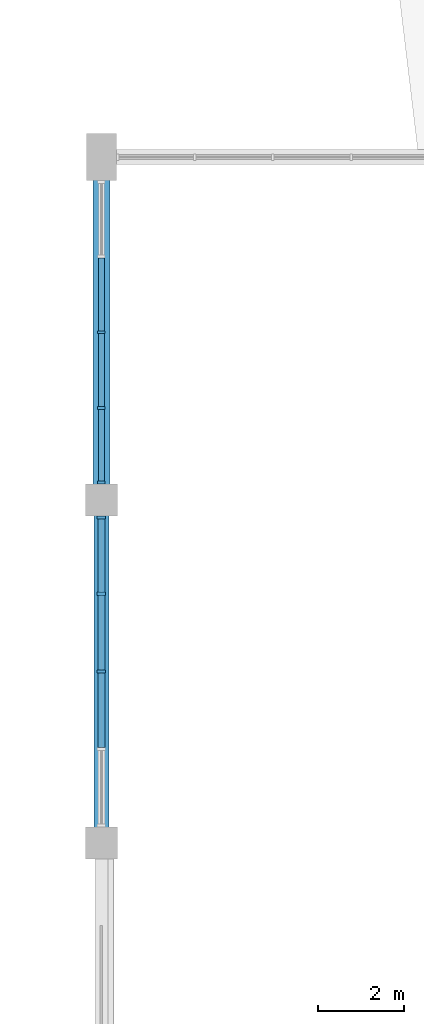
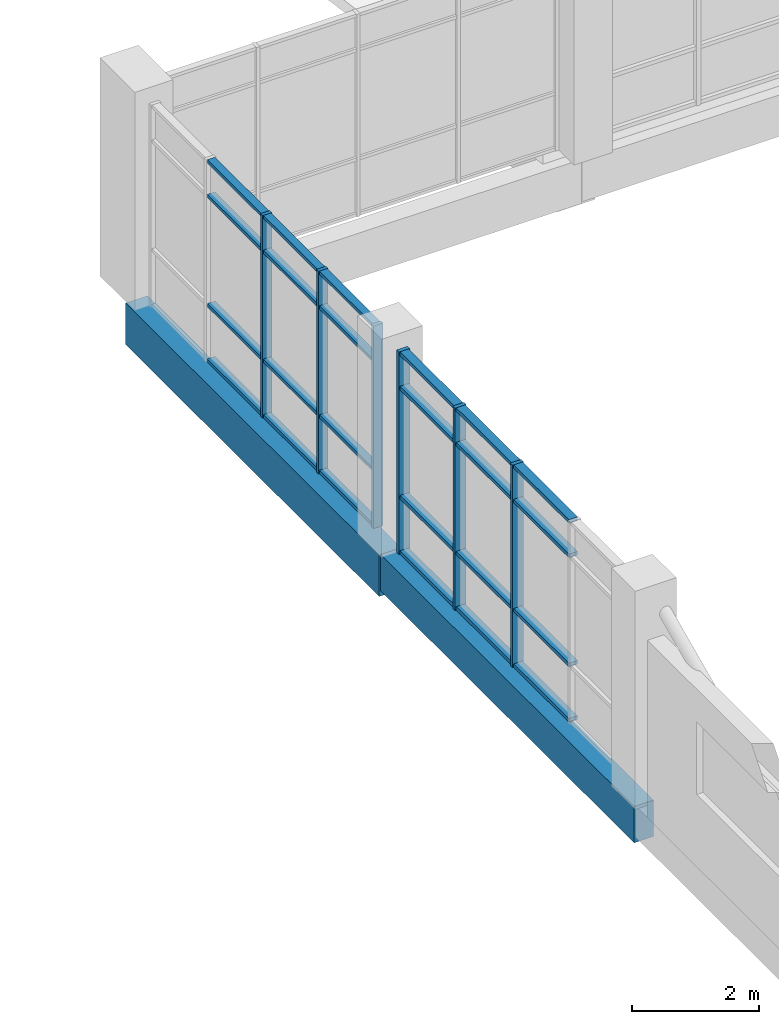
# One storey, part 4 of 72: 30 members, 2 beams, 2 elements without a shape of their own.
"""IFC4 building model written with IfcOpenShell, lengths in metres."""

from ifc_helpers import new_model, si_unit, direction, frame, origin, origin_2d, place, context, subcontext, project, spatial, rectangle, extrude, material, material_profile, profile_set, type_object, element, aggregate, save


model = new_model("IFC4")

# Units and contexts
model_context = context("Model", 3, precision=1e-05, world=origin(), true_north=direction((0.0, 1.0)))
body_context = subcontext(model_context, "Body", "Model", "MODEL_VIEW")
ifc_project = project(units=[si_unit("LENGTHUNIT", "METRE"), si_unit("AREAUNIT", "SQUARE_METRE"), si_unit("VOLUMEUNIT", "CUBIC_METRE"), si_unit("PLANEANGLEUNIT", "RADIAN"), si_unit("MASSUNIT", "GRAM", prefix="KILO")], contexts=[model_context])

# Site, building, storey
site_placement = place(None, origin())
site = spatial("IfcSite", under=ifc_project, at=site_placement, CompositionType="ELEMENT")
building_placement = place(site_placement, origin())
building = spatial("IfcBuilding", under=site, at=building_placement, Name="Tenunan Teduh Sports Hall", CompositionType="ELEMENT")
storey_placement = place(building_placement, frame((0.0, 0.0, 15.0)))
storey = spatial("IfcBuildingStorey", under=building, at=storey_placement, Name="L03", CompositionType="ELEMENT", Elevation=15.0)

# Beams
ifc_material_1 = material(Name="Concrete C40/50", Category="concrete")
ifc_material_profile_1 = material_profile(ifc_material_1, rectangle(XDim=0.35009765625, YDim=0.699951171875, at=origin_2d()), Name="RCB 350x700")
ifc_profile_set_1 = profile_set([ifc_material_profile_1], Name="Concrete C40/50")
beam_type_1 = type_object("IfcBeamType", Name="BM-RC-350x700", PredefinedType="BEAM", material=ifc_profile_set_1)
beam_1_placement = place(storey_placement, frame((6.0, 30.0, -0.590087890625), z_axis=(0.0, 1.0, 0.0), x_axis=(-1.0, 0.0, 0.0)))
element("IfcBeam", 1, at=beam_1_placement, inside=storey, type_object=beam_type_1, Name="BM-B-06-L03-1879", PredefinedType="BEAM", context=body_context, shape_type="SweptSolid", body=[
    extrude(rectangle(XDim=0.35009765625, YDim=0.699951171875, at=origin_2d()), origin(), (0.0, 0.0, 1.0), 8.0),
])
ifc_material_2 = material(Name="Concrete C40/50", Category="concrete")
ifc_material_profile_2 = material_profile(ifc_material_2, rectangle(XDim=0.39990234375, YDim=0.800048828125, at=origin_2d()), Name="RCB 400x800")
ifc_profile_set_2 = profile_set([ifc_material_profile_2], Name="Concrete C40/50")
beam_type_2 = type_object("IfcBeamType", Name="BM-RC-400x800", PredefinedType="BEAM", material=ifc_profile_set_2)
beam_2_placement = place(storey_placement, frame((6.0, 38.0, -0.639892578125), z_axis=(0.0, 1.0, 0.0), x_axis=(-1.0, 0.0, 0.0)))
element("IfcBeam", 2, at=beam_2_placement, inside=storey, type_object=beam_type_2, Name="BM-B-10-L03-1880", PredefinedType="BEAM", context=body_context, shape_type="SweptSolid", body=[
    extrude(rectangle(XDim=0.39990234375, YDim=0.800048828125, at=origin_2d()), origin(), (0.0, 0.0, 1.0), 8.0),
])

# Curtain wall, members
ifc_material_3 = material(Name="Anodised aluminium", Category="aluminium")
curtain_wall_type = type_object("IfcCurtainWallType", Name="CW-UNIT-2", PredefinedType="NOTDEFINED", material=ifc_material_3)
curtain_wall_1_placement = place(storey_placement, origin())
curtain_wall_1 = element("IfcCurtainWall", 3, at=curtain_wall_1_placement, inside=storey, type_object=curtain_wall_type, Name="CW-CWM-175-L03-090", PredefinedType="NOTDEFINED")
ifc_material_4 = material(Name="Anodised aluminium", Category="aluminium")
ifc_material_profile_3 = material_profile(ifc_material_4, rectangle(XDim=0.06494140625, YDim=0.175048828125, at=origin_2d()), Name="CWM 65x175")
ifc_profile_set_3 = profile_set([ifc_material_profile_3], Name="Anodised aluminium")
member_type_1 = type_object("IfcMemberType", Name="CWM-175", PredefinedType="MULLION", material=ifc_profile_set_3)
member_1_placement = place(storey_placement, frame((6.0, 38.407470703125, 0.0), z_axis=(0.0, 0.0, 1.0), x_axis=(0.0, 1.0, 0.0)))
member_1 = element("IfcMember", 4, at=member_1_placement, type_object=member_type_1, Name="CW-02 mullion 1", PredefinedType="MULLION", context=body_context, shape_type="SweptSolid", body=[
    extrude(rectangle(XDim=0.06494140625, YDim=0.175048828125, at=origin_2d()), origin(), (0.0, 0.0, 1.0), 3.89990234375),
])
member_2_placement = place(storey_placement, frame((6.0, 40.143798828125, 0.0), z_axis=(0.0, 0.0, 1.0), x_axis=(0.0, 1.0, 0.0)))
member_2 = element("IfcMember", 5, at=member_2_placement, type_object=member_type_1, Name="CW-02 mullion 2", PredefinedType="MULLION", context=body_context, shape_type="SweptSolid", body=[
    extrude(rectangle(XDim=0.06494140625, YDim=0.175048828125, at=origin_2d()), origin(), (0.0, 0.0, 1.0), 3.89990234375),
])
member_3_placement = place(storey_placement, frame((6.0, 41.91259765625, 0.0), z_axis=(0.0, 0.0, 1.0), x_axis=(0.0, 1.0, 0.0)))
member_3 = element("IfcMember", 6, at=member_3_placement, type_object=member_type_1, Name="CW-02 mullion 3", PredefinedType="MULLION", context=body_context, shape_type="SweptSolid", body=[
    extrude(rectangle(XDim=0.06494140625, YDim=0.175048828125, at=origin_2d()), origin(), (0.0, 0.0, 1.0), 3.89990234375),
])

curtain_wall_2_placement = place(storey_placement, origin())
curtain_wall_2 = element("IfcCurtainWall", 7, at=curtain_wall_2_placement, inside=storey, type_object=curtain_wall_type, Name="CW-CWM-200-L03-088", PredefinedType="NOTDEFINED")
ifc_material_5 = material(Name="Anodised aluminium", Category="aluminium")
ifc_material_profile_4 = material_profile(ifc_material_5, rectangle(XDim=0.070068359375, YDim=0.199951171875, at=origin_2d()), Name="CWM 70x200")
ifc_profile_set_4 = profile_set([ifc_material_profile_4], Name="Anodised aluminium")
member_type_2 = type_object("IfcMemberType", Name="CWM-200", PredefinedType="MULLION", material=ifc_profile_set_4)
member_4_placement = place(storey_placement, frame((6.0, 34.0, 0.0), z_axis=(0.0, 0.0, 1.0), x_axis=(0.0, 1.0, 0.0)))
member_4 = element("IfcMember", 8, at=member_4_placement, type_object=member_type_2, Name="CW-02 mullion 3", PredefinedType="MULLION", context=body_context, shape_type="SweptSolid", body=[
    extrude(rectangle(XDim=0.070068359375, YDim=0.199951171875, at=origin_2d()), origin(), (0.0, 0.0, 1.0), 3.89990234375),
])
member_5_placement = place(storey_placement, frame((6.0, 35.8125, 0.0), z_axis=(0.0, 0.0, 1.0), x_axis=(0.0, 1.0, 0.0)))
member_5 = element("IfcMember", 9, at=member_5_placement, type_object=member_type_2, Name="CW-02 mullion 4", PredefinedType="MULLION", context=body_context, shape_type="SweptSolid", body=[
    extrude(rectangle(XDim=0.070068359375, YDim=0.199951171875, at=origin_2d()), origin(), (0.0, 0.0, 1.0), 3.89990234375),
])
member_6_placement = place(storey_placement, frame((6.0, 37.590087890625, 0.0), z_axis=(0.0, 0.0, 1.0), x_axis=(0.0, 1.0, 0.0)))
member_6 = element("IfcMember", 10, at=member_6_placement, type_object=member_type_2, Name="CW-02 mullion 5", PredefinedType="MULLION", context=body_context, shape_type="SweptSolid", body=[
    extrude(rectangle(XDim=0.070068359375, YDim=0.199951171875, at=origin_2d()), origin(), (0.0, 0.0, 1.0), 3.89990234375),
])

# Member
ifc_material_6 = material(Name="Anodised aluminium", Category="aluminium")
ifc_material_profile_5 = material_profile(ifc_material_6, rectangle(XDim=0.06494140625, YDim=0.139892578125, at=origin_2d()), Name="CWT 65x140")
ifc_profile_set_5 = profile_set([ifc_material_profile_5], Name="Anodised aluminium")
member_type_3 = type_object("IfcMemberType", Name="CWT-150", PredefinedType="USERDEFINED", material=ifc_profile_set_5)
member_7_placement = place(storey_placement, frame((6.0, 38.43994140625, 0.032470703125), z_axis=(0.0, 1.0, 0.0), x_axis=(0.0, 0.0, 1.0)))
member_7 = element("IfcMember", 11, at=member_7_placement, type_object=member_type_3, Name="CW-02 transom 1.1", ObjectType="TRANSOM", PredefinedType="USERDEFINED", context=body_context, shape_type="SweptSolid", body=[
    extrude(rectangle(XDim=0.06494140625, YDim=0.139892578125, at=origin_2d()), origin(), (0.0, 0.0, 1.0), 1.67138671875),
])

member_8_placement = place(storey_placement, frame((6.0, 38.43994140625, 1.10009765625), z_axis=(0.0, 1.0, 0.0), x_axis=(0.0, 0.0, 1.0)))
member_8 = element("IfcMember", 12, at=member_8_placement, type_object=member_type_3, Name="CW-02 transom 1.2", ObjectType="TRANSOM", PredefinedType="USERDEFINED", context=body_context, shape_type="SweptSolid", body=[
    extrude(rectangle(XDim=0.06494140625, YDim=0.139892578125, at=origin_2d()), origin(), (0.0, 0.0, 1.0), 1.67138671875),
])

member_9_placement = place(storey_placement, frame((6.0, 38.43994140625, 3.199951171875), z_axis=(0.0, 1.0, 0.0), x_axis=(0.0, 0.0, 1.0)))
member_9 = element("IfcMember", 13, at=member_9_placement, type_object=member_type_3, Name="CW-02 transom 1.3", ObjectType="TRANSOM", PredefinedType="USERDEFINED", context=body_context, shape_type="SweptSolid", body=[
    extrude(rectangle(XDim=0.06494140625, YDim=0.139892578125, at=origin_2d()), origin(), (0.0, 0.0, 1.0), 1.67138671875),
])

member_10_placement = place(storey_placement, frame((6.0, 38.43994140625, 3.867431640625), z_axis=(0.0, 1.0, 0.0), x_axis=(0.0, 0.0, 1.0)))
member_10 = element("IfcMember", 14, at=member_10_placement, type_object=member_type_3, Name="CW-02 transom 1.4", ObjectType="TRANSOM", PredefinedType="USERDEFINED", context=body_context, shape_type="SweptSolid", body=[
    extrude(rectangle(XDim=0.06494140625, YDim=0.139892578125, at=origin_2d()), origin(), (0.0, 0.0, 1.0), 1.67138671875),
])

member_11_placement = place(storey_placement, frame((6.0, 40.17626953125, 0.032470703125), z_axis=(0.0, 1.0, 0.0), x_axis=(0.0, 0.0, 1.0)))
member_11 = element("IfcMember", 15, at=member_11_placement, type_object=member_type_3, Name="CW-02 transom 2.1", ObjectType="TRANSOM", PredefinedType="USERDEFINED", context=body_context, shape_type="SweptSolid", body=[
    extrude(rectangle(XDim=0.06494140625, YDim=0.139892578125, at=origin_2d()), origin(), (0.0, 0.0, 1.0), 1.70361328125),
])

member_12_placement = place(storey_placement, frame((6.0, 40.17626953125, 1.10009765625), z_axis=(0.0, 1.0, 0.0), x_axis=(0.0, 0.0, 1.0)))
member_12 = element("IfcMember", 16, at=member_12_placement, type_object=member_type_3, Name="CW-02 transom 2.2", ObjectType="TRANSOM", PredefinedType="USERDEFINED", context=body_context, shape_type="SweptSolid", body=[
    extrude(rectangle(XDim=0.06494140625, YDim=0.139892578125, at=origin_2d()), origin(), (0.0, 0.0, 1.0), 1.70361328125),
])

member_13_placement = place(storey_placement, frame((6.0, 40.17626953125, 3.199951171875), z_axis=(0.0, 1.0, 0.0), x_axis=(0.0, 0.0, 1.0)))
member_13 = element("IfcMember", 17, at=member_13_placement, type_object=member_type_3, Name="CW-02 transom 2.3", ObjectType="TRANSOM", PredefinedType="USERDEFINED", context=body_context, shape_type="SweptSolid", body=[
    extrude(rectangle(XDim=0.06494140625, YDim=0.139892578125, at=origin_2d()), origin(), (0.0, 0.0, 1.0), 1.70361328125),
])

member_14_placement = place(storey_placement, frame((6.0, 40.17626953125, 3.867431640625), z_axis=(0.0, 1.0, 0.0), x_axis=(0.0, 0.0, 1.0)))
member_14 = element("IfcMember", 18, at=member_14_placement, type_object=member_type_3, Name="CW-02 transom 2.4", ObjectType="TRANSOM", PredefinedType="USERDEFINED", context=body_context, shape_type="SweptSolid", body=[
    extrude(rectangle(XDim=0.06494140625, YDim=0.139892578125, at=origin_2d()), origin(), (0.0, 0.0, 1.0), 1.70361328125),
])

member_15_placement = place(storey_placement, frame((6.0, 41.945068359375, 0.032470703125), z_axis=(0.0, 1.0, 0.0), x_axis=(0.0, 0.0, 1.0)))
member_15 = element("IfcMember", 19, at=member_15_placement, type_object=member_type_3, Name="CW-02 transom 3.1", ObjectType="TRANSOM", PredefinedType="USERDEFINED", context=body_context, shape_type="SweptSolid", body=[
    extrude(rectangle(XDim=0.06494140625, YDim=0.139892578125, at=origin_2d()), origin(), (0.0, 0.0, 1.0), 1.70361328125),
])

member_16_placement = place(storey_placement, frame((6.0, 41.945068359375, 1.10009765625), z_axis=(0.0, 1.0, 0.0), x_axis=(0.0, 0.0, 1.0)))
member_16 = element("IfcMember", 20, at=member_16_placement, type_object=member_type_3, Name="CW-02 transom 3.2", ObjectType="TRANSOM", PredefinedType="USERDEFINED", context=body_context, shape_type="SweptSolid", body=[
    extrude(rectangle(XDim=0.06494140625, YDim=0.139892578125, at=origin_2d()), origin(), (0.0, 0.0, 1.0), 1.70361328125),
])

member_17_placement = place(storey_placement, frame((6.0, 41.945068359375, 3.199951171875), z_axis=(0.0, 1.0, 0.0), x_axis=(0.0, 0.0, 1.0)))
member_17 = element("IfcMember", 21, at=member_17_placement, type_object=member_type_3, Name="CW-02 transom 3.3", ObjectType="TRANSOM", PredefinedType="USERDEFINED", context=body_context, shape_type="SweptSolid", body=[
    extrude(rectangle(XDim=0.06494140625, YDim=0.139892578125, at=origin_2d()), origin(), (0.0, 0.0, 1.0), 1.70361328125),
])

member_18_placement = place(storey_placement, frame((6.0, 41.945068359375, 3.867431640625), z_axis=(0.0, 1.0, 0.0), x_axis=(0.0, 0.0, 1.0)))
member_18 = element("IfcMember", 22, at=member_18_placement, type_object=member_type_3, Name="CW-02 transom 3.4", ObjectType="TRANSOM", PredefinedType="USERDEFINED", context=body_context, shape_type="SweptSolid", body=[
    extrude(rectangle(XDim=0.06494140625, YDim=0.139892578125, at=origin_2d()), origin(), (0.0, 0.0, 1.0), 1.70361328125),
])

aggregate(curtain_wall_1, [member_1, member_2, member_3, member_7, member_8, member_9, member_10, member_11, member_12, member_13, member_14, member_15, member_16, member_17, member_18])

ifc_material_7 = material(Name="Anodised aluminium", Category="aluminium")
ifc_material_profile_6 = material_profile(ifc_material_7, rectangle(XDim=0.070068359375, YDim=0.159912109375, at=origin_2d()), Name="CWT 70x160")
ifc_profile_set_6 = profile_set([ifc_material_profile_6], Name="Anodised aluminium")
member_type_4 = type_object("IfcMemberType", Name="CWT-200", PredefinedType="USERDEFINED", material=ifc_profile_set_6)
member_19_placement = place(storey_placement, frame((6.0, 32.222412109375, 0.034912109375), z_axis=(0.0, 1.0, 0.0), x_axis=(0.0, 0.0, 1.0)))
member_19 = element("IfcMember", 23, at=member_19_placement, type_object=member_type_4, Name="CW-02 transom 2.1", ObjectType="TRANSOM", PredefinedType="USERDEFINED", context=body_context, shape_type="SweptSolid", body=[
    extrude(rectangle(XDim=0.070068359375, YDim=0.159912109375, at=origin_2d()), origin(), (0.0, 0.0, 1.0), 1.74267578125),
])

member_20_placement = place(storey_placement, frame((6.0, 32.222412109375, 1.10009765625), z_axis=(0.0, 1.0, 0.0), x_axis=(0.0, 0.0, 1.0)))
member_20 = element("IfcMember", 24, at=member_20_placement, type_object=member_type_4, Name="CW-02 transom 2.2", ObjectType="TRANSOM", PredefinedType="USERDEFINED", context=body_context, shape_type="SweptSolid", body=[
    extrude(rectangle(XDim=0.070068359375, YDim=0.159912109375, at=origin_2d()), origin(), (0.0, 0.0, 1.0), 1.74267578125),
])

member_21_placement = place(storey_placement, frame((6.0, 32.222412109375, 3.199951171875), z_axis=(0.0, 1.0, 0.0), x_axis=(0.0, 0.0, 1.0)))
member_21 = element("IfcMember", 25, at=member_21_placement, type_object=member_type_4, Name="CW-02 transom 2.3", ObjectType="TRANSOM", PredefinedType="USERDEFINED", context=body_context, shape_type="SweptSolid", body=[
    extrude(rectangle(XDim=0.070068359375, YDim=0.159912109375, at=origin_2d()), origin(), (0.0, 0.0, 1.0), 1.74267578125),
])

member_22_placement = place(storey_placement, frame((6.0, 32.222412109375, 3.864990234375), z_axis=(0.0, 1.0, 0.0), x_axis=(0.0, 0.0, 1.0)))
member_22 = element("IfcMember", 26, at=member_22_placement, type_object=member_type_4, Name="CW-02 transom 2.4", ObjectType="TRANSOM", PredefinedType="USERDEFINED", context=body_context, shape_type="SweptSolid", body=[
    extrude(rectangle(XDim=0.070068359375, YDim=0.159912109375, at=origin_2d()), origin(), (0.0, 0.0, 1.0), 1.74267578125),
])

member_23_placement = place(storey_placement, frame((6.0, 34.034912109375, 0.034912109375), z_axis=(0.0, 1.0, 0.0), x_axis=(0.0, 0.0, 1.0)))
member_23 = element("IfcMember", 27, at=member_23_placement, type_object=member_type_4, Name="CW-02 transom 3.1", ObjectType="TRANSOM", PredefinedType="USERDEFINED", context=body_context, shape_type="SweptSolid", body=[
    extrude(rectangle(XDim=0.070068359375, YDim=0.159912109375, at=origin_2d()), origin(), (0.0, 0.0, 1.0), 1.74267578125),
])

member_24_placement = place(storey_placement, frame((6.0, 34.034912109375, 1.10009765625), z_axis=(0.0, 1.0, 0.0), x_axis=(0.0, 0.0, 1.0)))
member_24 = element("IfcMember", 28, at=member_24_placement, type_object=member_type_4, Name="CW-02 transom 3.2", ObjectType="TRANSOM", PredefinedType="USERDEFINED", context=body_context, shape_type="SweptSolid", body=[
    extrude(rectangle(XDim=0.070068359375, YDim=0.159912109375, at=origin_2d()), origin(), (0.0, 0.0, 1.0), 1.74267578125),
])

member_25_placement = place(storey_placement, frame((6.0, 34.034912109375, 3.199951171875), z_axis=(0.0, 1.0, 0.0), x_axis=(0.0, 0.0, 1.0)))
member_25 = element("IfcMember", 29, at=member_25_placement, type_object=member_type_4, Name="CW-02 transom 3.3", ObjectType="TRANSOM", PredefinedType="USERDEFINED", context=body_context, shape_type="SweptSolid", body=[
    extrude(rectangle(XDim=0.070068359375, YDim=0.159912109375, at=origin_2d()), origin(), (0.0, 0.0, 1.0), 1.74267578125),
])

member_26_placement = place(storey_placement, frame((6.0, 34.034912109375, 3.864990234375), z_axis=(0.0, 1.0, 0.0), x_axis=(0.0, 0.0, 1.0)))
member_26 = element("IfcMember", 30, at=member_26_placement, type_object=member_type_4, Name="CW-02 transom 3.4", ObjectType="TRANSOM", PredefinedType="USERDEFINED", context=body_context, shape_type="SweptSolid", body=[
    extrude(rectangle(XDim=0.070068359375, YDim=0.159912109375, at=origin_2d()), origin(), (0.0, 0.0, 1.0), 1.74267578125),
])

member_27_placement = place(storey_placement, frame((6.0, 35.847412109375, 0.034912109375), z_axis=(0.0, 1.0, 0.0), x_axis=(0.0, 0.0, 1.0)))
member_27 = element("IfcMember", 31, at=member_27_placement, type_object=member_type_4, Name="CW-02 transom 4.1", ObjectType="TRANSOM", PredefinedType="USERDEFINED", context=body_context, shape_type="SweptSolid", body=[
    extrude(rectangle(XDim=0.070068359375, YDim=0.159912109375, at=origin_2d()), origin(), (0.0, 0.0, 1.0), 1.70751953125),
])

member_28_placement = place(storey_placement, frame((6.0, 35.847412109375, 1.10009765625), z_axis=(0.0, 1.0, 0.0), x_axis=(0.0, 0.0, 1.0)))
member_28 = element("IfcMember", 32, at=member_28_placement, type_object=member_type_4, Name="CW-02 transom 4.2", ObjectType="TRANSOM", PredefinedType="USERDEFINED", context=body_context, shape_type="SweptSolid", body=[
    extrude(rectangle(XDim=0.070068359375, YDim=0.159912109375, at=origin_2d()), origin(), (0.0, 0.0, 1.0), 1.70751953125),
])

member_29_placement = place(storey_placement, frame((6.0, 35.847412109375, 3.199951171875), z_axis=(0.0, 1.0, 0.0), x_axis=(0.0, 0.0, 1.0)))
member_29 = element("IfcMember", 33, at=member_29_placement, type_object=member_type_4, Name="CW-02 transom 4.3", ObjectType="TRANSOM", PredefinedType="USERDEFINED", context=body_context, shape_type="SweptSolid", body=[
    extrude(rectangle(XDim=0.070068359375, YDim=0.159912109375, at=origin_2d()), origin(), (0.0, 0.0, 1.0), 1.70751953125),
])

member_30_placement = place(storey_placement, frame((6.0, 35.847412109375, 3.864990234375), z_axis=(0.0, 1.0, 0.0), x_axis=(0.0, 0.0, 1.0)))
member_30 = element("IfcMember", 34, at=member_30_placement, type_object=member_type_4, Name="CW-02 transom 4.4", ObjectType="TRANSOM", PredefinedType="USERDEFINED", context=body_context, shape_type="SweptSolid", body=[
    extrude(rectangle(XDim=0.070068359375, YDim=0.159912109375, at=origin_2d()), origin(), (0.0, 0.0, 1.0), 1.70751953125),
])

aggregate(curtain_wall_2, [member_4, member_5, member_6, member_19, member_20, member_21, member_22, member_23, member_24, member_25, member_26, member_27, member_28, member_29, member_30])

save(model, "model.ifc")
